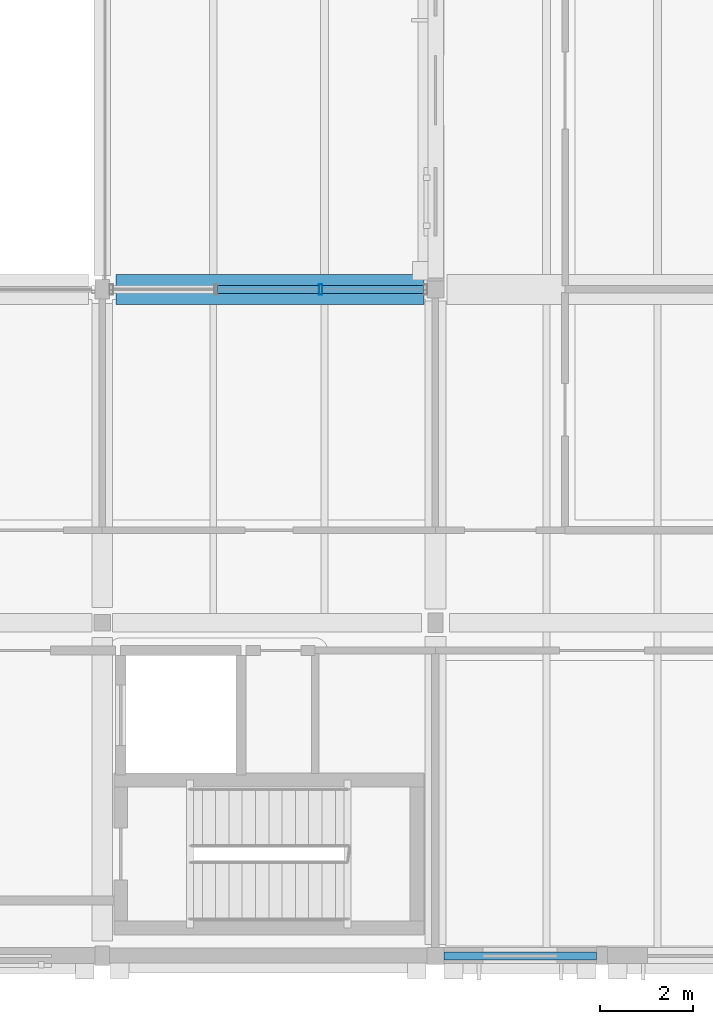
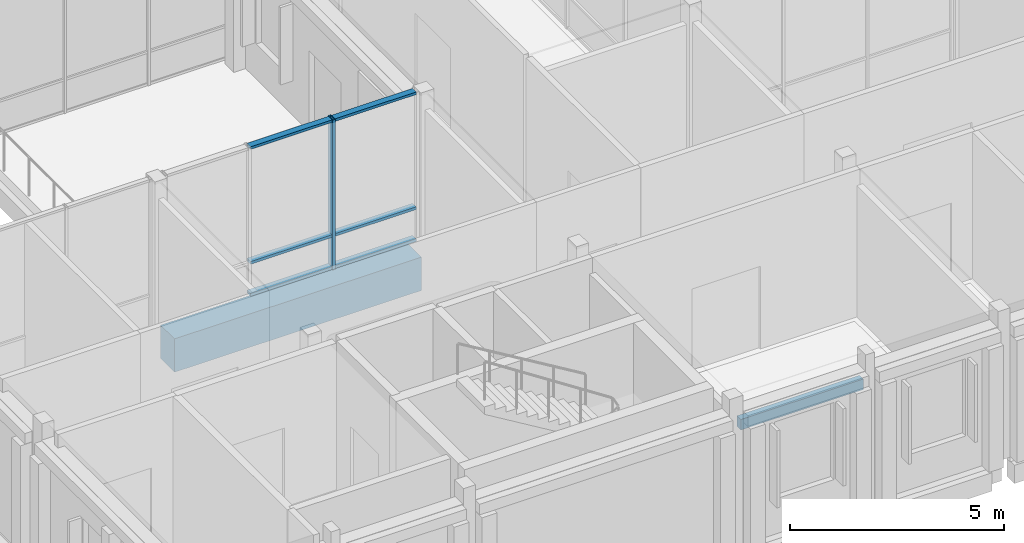
# One storey, part 17 of 146: 7 members, 2 beams, 1 element without a shape of its own.
"""IFC4 building model written with IfcOpenShell, lengths in metres."""

from ifc_helpers import new_model, si_unit, direction, frame, origin, origin_2d, place, context, subcontext, project, spatial, rectangle, hollow_rectangle, extrude, material, material_profile, profile_set, type_object, element, aggregate, save


model = new_model("IFC4")

# Units and contexts
model_context = context("Model", 3, precision=1e-05, world=origin(), true_north=direction((0.0, 1.0)))
body_context = subcontext(model_context, "Body", "Model", "MODEL_VIEW")
ifc_project = project(units=[si_unit("LENGTHUNIT", "METRE"), si_unit("AREAUNIT", "SQUARE_METRE"), si_unit("VOLUMEUNIT", "CUBIC_METRE"), si_unit("PLANEANGLEUNIT", "RADIAN"), si_unit("MASSUNIT", "GRAM", prefix="KILO")], contexts=[model_context])

# Site, building, storey
site_placement = place(None, origin())
site = spatial("IfcSite", under=ifc_project, at=site_placement, CompositionType="ELEMENT")
building_placement = place(site_placement, origin())
building = spatial("IfcBuilding", under=site, at=building_placement, Name="Hawrajan Terrace Health Centre", CompositionType="ELEMENT")
storey_placement = place(building_placement, frame((0.0, 0.0, 4.5)))
storey = spatial("IfcBuildingStorey", under=building, at=storey_placement, Name="L01", CompositionType="ELEMENT", Elevation=4.5)

# Curtain wall, members
ifc_material_1 = material(Name="Anodized bronze aluminium and low-E solar glazing", Category="aluminium")
curtain_wall_type = type_object("IfcCurtainWallType", Name="CW_Court_SeriesB2", PredefinedType="USERDEFINED", material=ifc_material_1)
curtain_wall_placement = place(storey_placement, origin())
curtain_wall = element("IfcCurtainWall", 1, at=curtain_wall_placement, inside=storey, type_object=curtain_wall_type, Name="Curtain wall CW-L01-053", ObjectType="UNITISED CURTAIN WALL", PredefinedType="USERDEFINED")
ifc_material_2 = material(Name="Anodized bronze aluminium 6063-T6", Category="aluminium")
ifc_material_profile_1 = material_profile(ifc_material_2, hollow_rectangle(XDim=0.074951171875, YDim=0.219970703125, WallThickness=0.0048828125, at=origin_2d()), Name="CW MUL 75x220")
ifc_profile_set_1 = profile_set([ifc_material_profile_1], Name="Anodized bronze aluminium 6063-T6")
member_type_1 = type_object("IfcMemberType", Name="CWMullion_75x220", PredefinedType="MULLION", material=ifc_profile_set_1)
member_1_placement = place(storey_placement, frame((16.520751953125, 18.60009765625, -0.0048828125), z_axis=(0.0, 0.0, 1.0), x_axis=(1.0, 0.0, 0.0)))
member_1 = element("IfcMember", 2, at=member_1_placement, type_object=member_type_1, Name="Mullion CW-L01-053-M3", PredefinedType="MULLION", context=body_context, shape_type="SweptSolid", body=[
    extrude(hollow_rectangle(XDim=0.074951171875, YDim=0.219970703125, WallThickness=0.0048828125, at=origin_2d()), origin(), (0.0, 0.0, 1.0), 4.269775390625),
])
ifc_material_profile_2 = material_profile(ifc_material_2, hollow_rectangle(XDim=0.074951171875, YDim=0.169921875, WallThickness=0.00439453125, at=origin_2d()), Name="CW TRN 75x170")
ifc_profile_set_2 = profile_set([ifc_material_profile_2], Name="Anodized bronze aluminium 6063-T6")
member_type_2 = type_object("IfcMemberType", Name="CWTransom_75x170", PredefinedType="USERDEFINED", material=ifc_profile_set_2)
member_2_placement = place(storey_placement, frame((14.290771484375, 18.60009765625, 0.03759765625), z_axis=(1.0, 0.0, 0.0), x_axis=(0.0, 0.0, 1.0)))
member_2 = element("IfcMember", 3, at=member_2_placement, type_object=member_type_2, Name="Transom CW-L01-053-T2-1", ObjectType="TRANSOM", PredefinedType="USERDEFINED", context=body_context, shape_type="SweptSolid", body=[
    extrude(hollow_rectangle(XDim=0.074951171875, YDim=0.169921875, WallThickness=0.00439453125, at=origin_2d()), origin(), (0.0, 0.0, 1.0), 2.198486328125),
])
member_3_placement = place(storey_placement, frame((14.290771484375, 18.60009765625, 0.949951171875), z_axis=(1.0, 0.0, 0.0), x_axis=(0.0, 0.0, 1.0)))
member_3 = element("IfcMember", 4, at=member_3_placement, type_object=member_type_2, Name="Transom CW-L01-053-T2-2", ObjectType="TRANSOM", PredefinedType="USERDEFINED", context=body_context, shape_type="SweptSolid", body=[
    extrude(hollow_rectangle(XDim=0.074951171875, YDim=0.169921875, WallThickness=0.00439453125, at=origin_2d()), origin(), (0.0, 0.0, 1.0), 2.198486328125),
])
member_4_placement = place(storey_placement, frame((14.290771484375, 18.60009765625, 4.222412109375), z_axis=(1.0, 0.0, 0.0), x_axis=(0.0, 0.0, 1.0)))
member_4 = element("IfcMember", 5, at=member_4_placement, type_object=member_type_2, Name="Transom CW-L01-053-T2-3", ObjectType="TRANSOM", PredefinedType="USERDEFINED", context=body_context, shape_type="SweptSolid", body=[
    extrude(hollow_rectangle(XDim=0.074951171875, YDim=0.169921875, WallThickness=0.00439453125, at=origin_2d()), origin(), (0.0, 0.0, 1.0), 2.198486328125),
])
member_5_placement = place(storey_placement, frame((16.55224609375, 18.60009765625, 0.03759765625), z_axis=(1.0, 0.0, 0.0), x_axis=(0.0, 0.0, 1.0)))
member_5 = element("IfcMember", 6, at=member_5_placement, type_object=member_type_2, Name="Transom CW-L01-053-T3-1", ObjectType="TRANSOM", PredefinedType="USERDEFINED", context=body_context, shape_type="SweptSolid", body=[
    extrude(hollow_rectangle(XDim=0.074951171875, YDim=0.169921875, WallThickness=0.00439453125, at=origin_2d()), origin(), (0.0, 0.0, 1.0), 2.19873046875),
])
member_6_placement = place(storey_placement, frame((16.55224609375, 18.60009765625, 0.949951171875), z_axis=(1.0, 0.0, 0.0), x_axis=(0.0, 0.0, 1.0)))
member_6 = element("IfcMember", 7, at=member_6_placement, type_object=member_type_2, Name="Transom CW-L01-053-T3-2", ObjectType="TRANSOM", PredefinedType="USERDEFINED", context=body_context, shape_type="SweptSolid", body=[
    extrude(hollow_rectangle(XDim=0.074951171875, YDim=0.169921875, WallThickness=0.00439453125, at=origin_2d()), origin(), (0.0, 0.0, 1.0), 2.19873046875),
])
member_7_placement = place(storey_placement, frame((16.55224609375, 18.60009765625, 4.222412109375), z_axis=(1.0, 0.0, 0.0), x_axis=(0.0, 0.0, 1.0)))
member_7 = element("IfcMember", 8, at=member_7_placement, type_object=member_type_2, Name="Transom CW-L01-053-T3-3", ObjectType="TRANSOM", PredefinedType="USERDEFINED", context=body_context, shape_type="SweptSolid", body=[
    extrude(hollow_rectangle(XDim=0.074951171875, YDim=0.169921875, WallThickness=0.00439453125, at=origin_2d()), origin(), (0.0, 0.0, 1.0), 2.19873046875),
])
aggregate(curtain_wall, [member_1, member_2, member_3, member_4, member_5, member_6, member_7])

# Beams
ifc_material_3 = material(Name="Glulam GL32h", Category="wood")
ifc_material_profile_3 = material_profile(ifc_material_3, rectangle(XDim=0.179931640625, YDim=0.300048828125, at=origin_2d()), Name="GL LN 180x300")
ifc_profile_set_3 = profile_set([ifc_material_profile_3], Name="Glulam GL32h")
beam_type_1 = type_object("IfcBeamType", Name="GlulamLintel_180x300", PredefinedType="LINTEL", material=ifc_profile_set_3)
beam_1_placement = place(storey_placement, frame((19.179931640625, 4.199951171875, 3.364990234375), z_axis=(1.0, 0.0, 0.0), x_axis=(0.0, 1.0, 0.0)))
element("IfcBeam", 9, at=beam_1_placement, inside=storey, type_object=beam_type_1, Name="Window lintel LNT-L01-058", PredefinedType="LINTEL", context=body_context, shape_type="SweptSolid", body=[
    extrude(rectangle(XDim=0.179931640625, YDim=0.300048828125, at=origin_2d()), origin(), (0.0, 0.0, 1.0), 3.300048828125),
])
ifc_material_4 = material(Name="Concrete C40/50", Category="concrete")
ifc_material_profile_4 = material_profile(ifc_material_4, rectangle(XDim=0.64990234375, YDim=0.949951171875, at=origin_2d()), Name="RC TG 650x950")
ifc_profile_set_4 = profile_set([ifc_material_profile_4], Name="Concrete C40/50")
beam_type_2 = type_object("IfcBeamType", Name="RCTransferGirder_650x950", PredefinedType="BEAM", material=ifc_profile_set_4)
beam_2_placement = place(storey_placement, frame((12.10009765625, 18.60009765625, -0.77490234375), z_axis=(1.0, 0.0, 0.0), x_axis=(0.0, 1.0, 0.0)))
element("IfcBeam", 10, at=beam_2_placement, inside=storey, type_object=beam_type_2, Name="Beam BM-X-L01-W-02-Y3", PredefinedType="BEAM", context=body_context, shape_type="SweptSolid", body=[
    extrude(rectangle(XDim=0.64990234375, YDim=0.949951171875, at=origin_2d()), origin(), (0.0, 0.0, 1.0), 6.64990234375),
])

save(model, "model.ifc")
